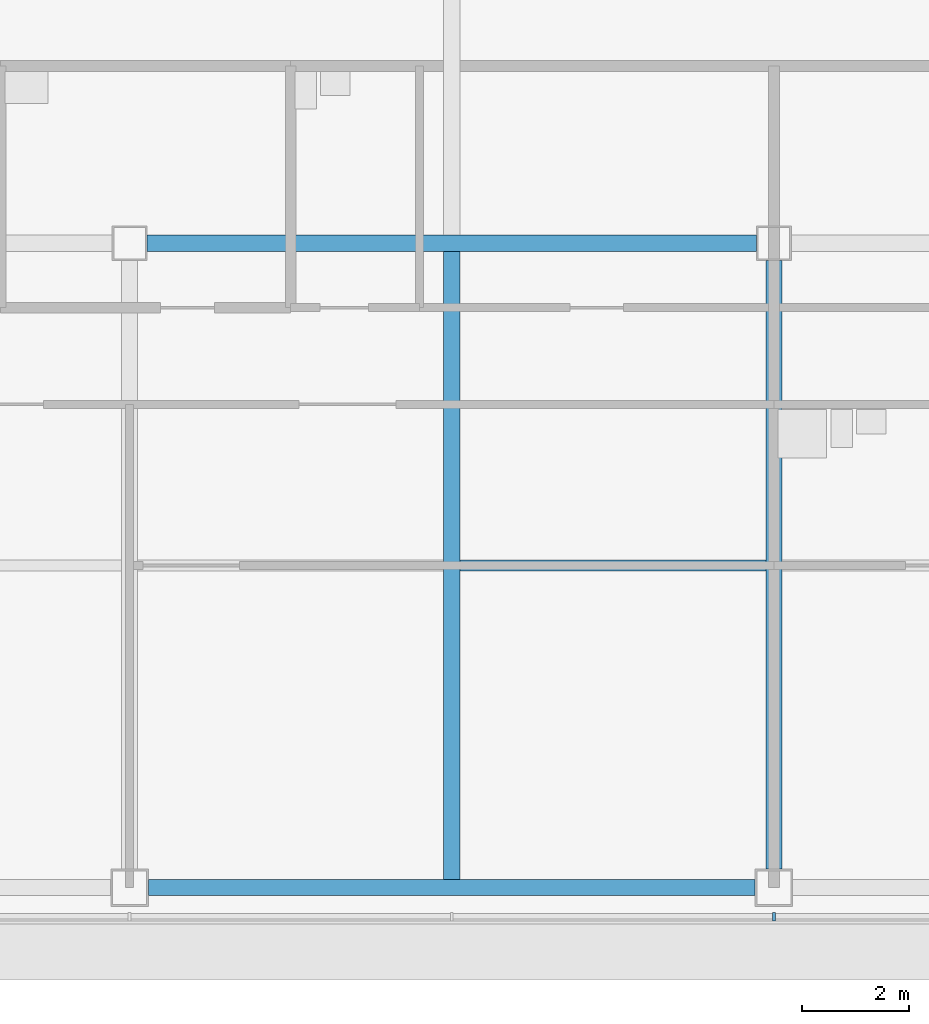
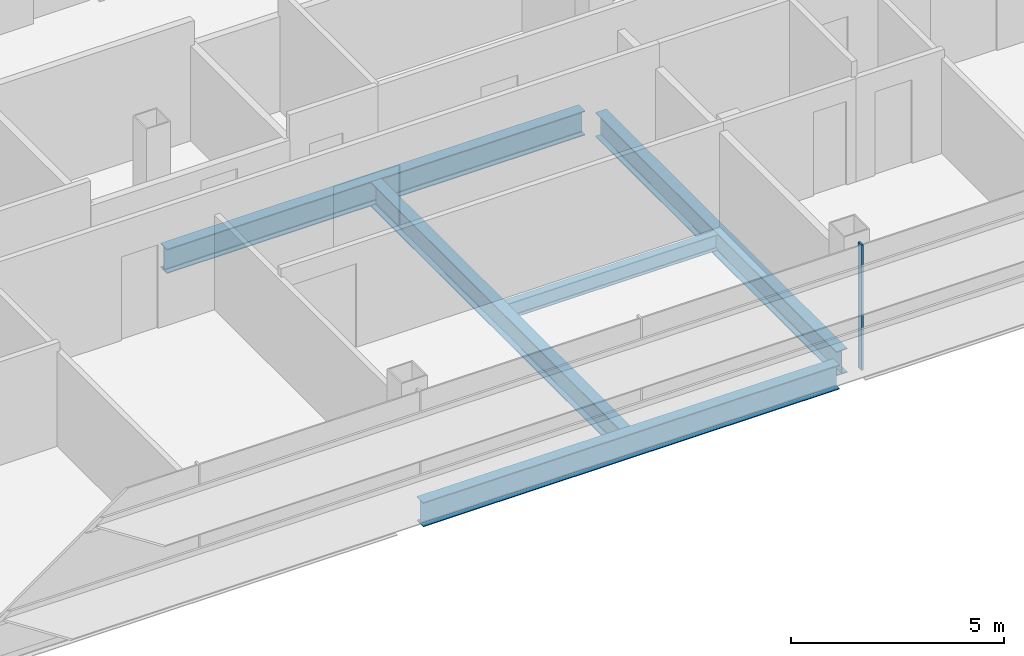
# One storey, part 3 of 27: 5 beams, 1 member, 1 element without a shape of its own.
"""IFC4 building model written with IfcOpenShell, lengths in metres."""

from ifc_helpers import new_model, si_unit, direction, frame, origin, origin_2d, place, context, subcontext, project, spatial, rectangle, i_section, extrude, material, material_profile, profile_set, type_object, element, aggregate, save


model = new_model("IFC4")

# Units and contexts
model_context = context("Model", 3, precision=1e-05, world=origin(), true_north=direction((0.0, 1.0)))
body_context = subcontext(model_context, "Body", "Model", "MODEL_VIEW")
ifc_project = project(units=[si_unit("LENGTHUNIT", "METRE"), si_unit("AREAUNIT", "SQUARE_METRE"), si_unit("VOLUMEUNIT", "CUBIC_METRE"), si_unit("PLANEANGLEUNIT", "RADIAN"), si_unit("MASSUNIT", "GRAM", prefix="KILO")], contexts=[model_context])

# Site, building, storey
site_placement = place(None, origin())
site = spatial("IfcSite", under=ifc_project, at=site_placement, CompositionType="ELEMENT")
building_placement = place(site_placement, origin())
building = spatial("IfcBuilding", under=site, at=building_placement, Name="Sorahane Residences", CompositionType="ELEMENT")
storey_placement = place(building_placement, frame((0.0, 0.0, 167.199951171875)))
storey = spatial("IfcBuildingStorey", under=building, at=storey_placement, Name="L38", CompositionType="ELEMENT", Elevation=167.199951171875)

# Curtain wall, member
ifc_material_1 = material(Name="Dark low-e glass and black anodised aluminium", Category="aluminium")
curtain_wall_type = type_object("IfcCurtainWallType", Name="Curtain wall CW-1 Typical unitised wall", PredefinedType="NOTDEFINED", material=ifc_material_1)
curtain_wall_placement = place(storey_placement, origin())
curtain_wall = element("IfcCurtainWall", 1, at=curtain_wall_placement, inside=storey, type_object=curtain_wall_type, Name="CW-1 curtain wall L38 S2", PredefinedType="NOTDEFINED")
ifc_material_2 = material(Name="Black anodised aluminium", Category="aluminium")
ifc_material_profile_1 = material_profile(ifc_material_2, rectangle(XDim=0.159912109375, YDim=0.050048828125, at=origin_2d()), Name="Curtain wall mullion CW-1 black anodised aluminium 50x160")
ifc_profile_set_1 = profile_set([ifc_material_profile_1], Name="Black anodised aluminium")
member_type = type_object("IfcMemberType", Name="Curtain wall mullion CW-1 black anodised aluminium 50x160", PredefinedType="MULLION", material=ifc_profile_set_1)
member_placement = place(storey_placement, frame((24.0, -0.5400390625, -0.179931640625), z_axis=(0.0, 0.0, 1.0), x_axis=(0.0, -1.0, 0.0)))
member = element("IfcMember", 2, at=member_placement, type_object=member_type, Name="CW-1 mullion L38 S2.5", PredefinedType="MULLION", context=body_context, shape_type="SweptSolid", body=[
    extrude(rectangle(XDim=0.159912109375, YDim=0.050048828125, at=origin_2d()), origin(), (0.0, 0.0, 1.0), 3.60009765625),
])
aggregate(curtain_wall, [member])

# Beams
ifc_material_3 = material(Name="Steel Q355B", Category="steel")
ifc_material_profile_2 = material_profile(ifc_material_3, i_section(OverallWidth=0.199951171875, OverallDepth=0.449951171875, WebThickness=0.009033203125, FlangeThickness=0.013916015625, FilletRadius=0.02001953125, at=origin_2d()), Name="HN 450x200x9x14")
ifc_profile_set_2 = profile_set([ifc_material_profile_2], Name="Steel Q355B")
beam_type_1 = type_object("IfcBeamType", Name="Steel floor beam HN 450x200x9x14 Q355B", PredefinedType="BEAM", material=ifc_profile_set_2)
beam_1_placement = place(storey_placement, frame((18.14990234375, 6.0, -0.405029296875), z_axis=(1.0, 0.0, 0.0), x_axis=(0.0, 1.0, 0.0)))
element("IfcBeam", 3, at=beam_1_placement, inside=storey, type_object=beam_type_1, Name="Beam L38 070", PredefinedType="BEAM", context=body_context, shape_type="SweptSolid", body=[
    extrude(i_section(OverallWidth=0.199951171875, OverallDepth=0.449951171875, WebThickness=0.009033203125, FlangeThickness=0.013916015625, FilletRadius=0.02001953125, at=origin_2d()), origin(), (0.0, 0.0, 1.0), 5.7001953125),
])
ifc_material_4 = material(Name="Steel Q355B", Category="steel")
ifc_material_profile_3 = material_profile(ifc_material_4, i_section(OverallWidth=0.300048828125, OverallDepth=0.699951171875, WebThickness=0.012939453125, FlangeThickness=0.02392578125, FilletRadius=0.028076171875, at=origin_2d()), Name="HN 700x300x13x24")
ifc_profile_set_3 = profile_set([ifc_material_profile_3], Name="Steel Q355B")
beam_type_2 = type_object("IfcBeamType", Name="Steel floor beam HN 700x300x13x24 Q355B", PredefinedType="BEAM", material=ifc_profile_set_3)
beam_2_placement = place(storey_placement, frame((12.35009765625, 0.0, -0.530029296875), z_axis=(1.0, 0.0, 0.0), x_axis=(0.0, 1.0, 0.0)))
element("IfcBeam", 4, at=beam_2_placement, inside=storey, type_object=beam_type_2, Name="Beam L38 001", PredefinedType="BEAM", context=body_context, shape_type="SweptSolid", body=[
    extrude(i_section(OverallWidth=0.300048828125, OverallDepth=0.699951171875, WebThickness=0.012939453125, FlangeThickness=0.02392578125, FilletRadius=0.028076171875, at=origin_2d()), origin(), (0.0, 0.0, 1.0), 11.2998046875),
])
beam_3_placement = place(storey_placement, frame((12.324951171875, 12.0, -0.530029296875), z_axis=(1.0, 0.0, 0.0), x_axis=(0.0, 1.0, 0.0)))
element("IfcBeam", 5, at=beam_3_placement, inside=storey, type_object=beam_type_2, Name="Beam L38 007", PredefinedType="BEAM", context=body_context, shape_type="SweptSolid", body=[
    extrude(i_section(OverallWidth=0.300048828125, OverallDepth=0.699951171875, WebThickness=0.012939453125, FlangeThickness=0.02392578125, FilletRadius=0.028076171875, at=origin_2d()), origin(), (0.0, 0.0, 1.0), 11.35009765625),
])
beam_4_placement = place(storey_placement, frame((18.0, 0.14990234375, -0.530029296875), z_axis=(0.0, 1.0, 0.0), x_axis=(-1.0, 0.0, 0.0)))
element("IfcBeam", 6, at=beam_4_placement, inside=storey, type_object=beam_type_2, Name="Beam L38 036", PredefinedType="BEAM", context=body_context, shape_type="SweptSolid", body=[
    extrude(i_section(OverallWidth=0.300048828125, OverallDepth=0.699951171875, WebThickness=0.012939453125, FlangeThickness=0.02392578125, FilletRadius=0.028076171875, at=origin_2d()), origin(), (0.0, 0.0, 1.0), 11.7001953125),
])
beam_5_placement = place(storey_placement, frame((24.0, 0.35009765625, -0.530029296875), z_axis=(0.0, 1.0, 0.0), x_axis=(-1.0, 0.0, 0.0)))
element("IfcBeam", 7, at=beam_5_placement, inside=storey, type_object=beam_type_2, Name="Beam L38 042", PredefinedType="BEAM", context=body_context, shape_type="SweptSolid", body=[
    extrude(i_section(OverallWidth=0.300048828125, OverallDepth=0.699951171875, WebThickness=0.012939453125, FlangeThickness=0.02392578125, FilletRadius=0.028076171875, at=origin_2d()), origin(), (0.0, 0.0, 1.0), 11.324951171875),
])

save(model, "model.ifc")
